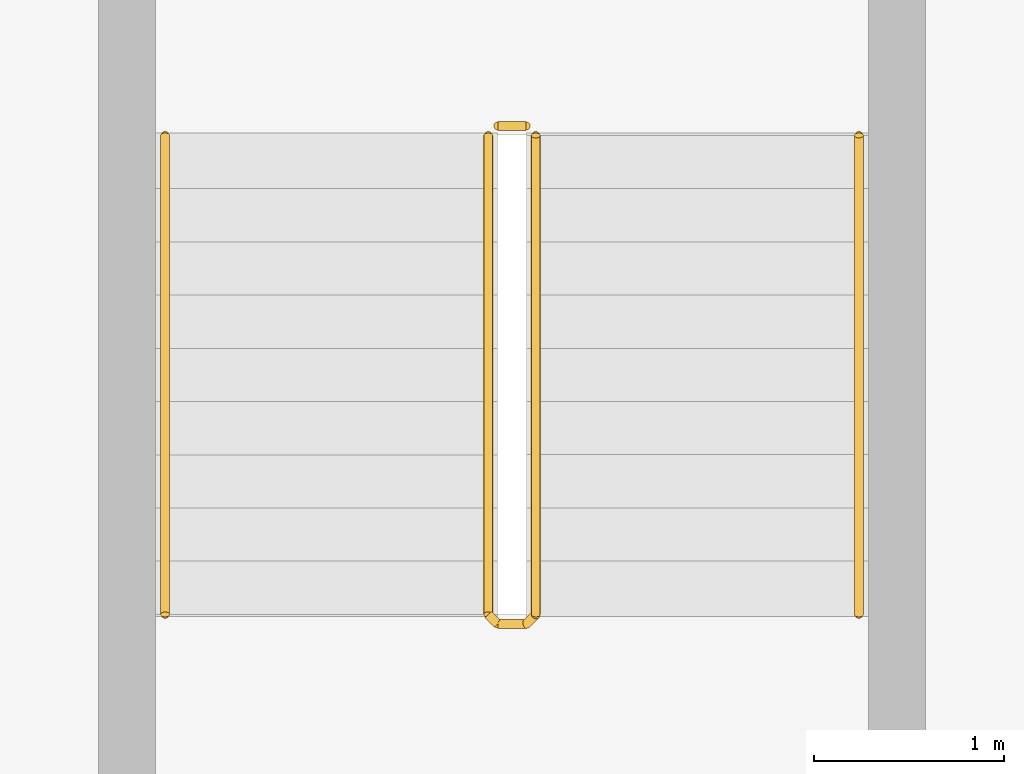
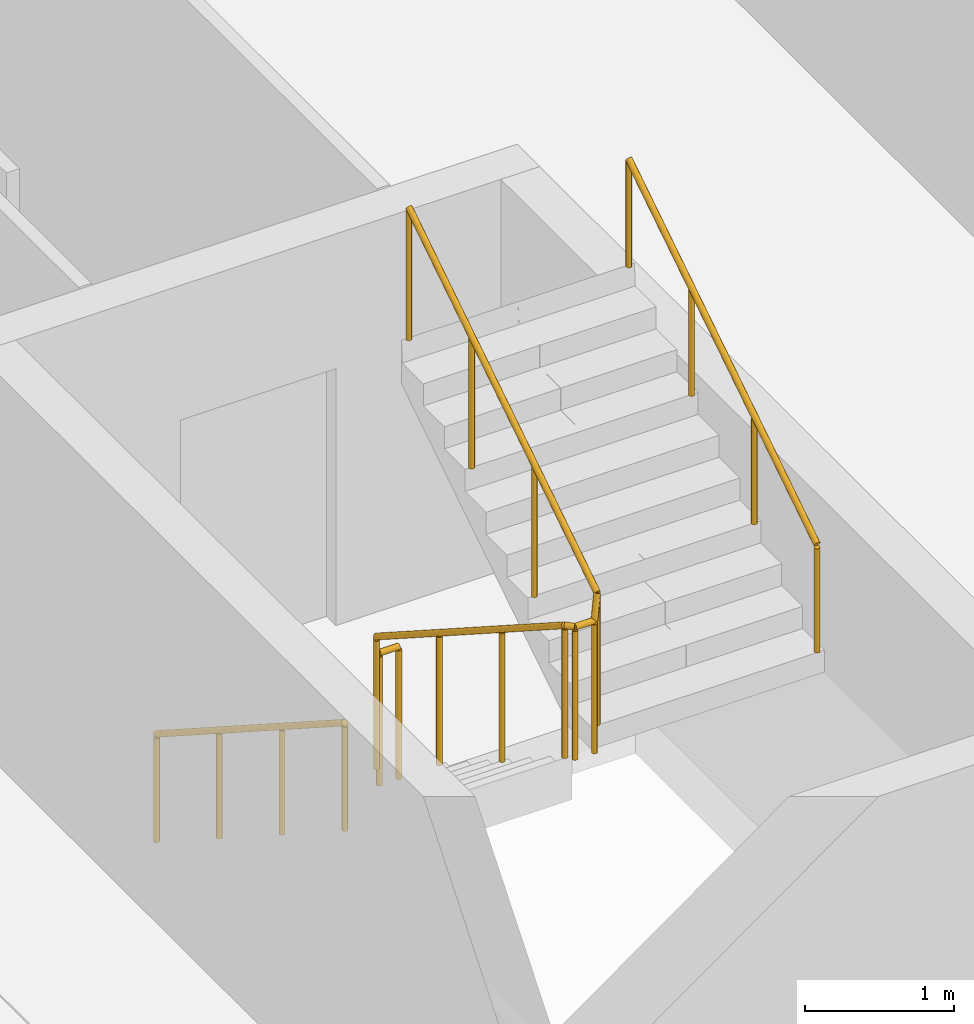
# One storey, part 23 of 25: 4 railings.
"""IFC4 building model written with IfcOpenShell, lengths in metres."""

from ifc_helpers import new_model, si_unit, direction, frame, origin, origin_2d, place, context, subcontext, project, spatial, circle, extrude, material, type_object, element, save


model = new_model("IFC4")

# Units and contexts
model_context = context("Model", 3, precision=1e-05, world=origin(), true_north=direction((0.0, 1.0)))
body_context = subcontext(model_context, "Body", "Model", "MODEL_VIEW")
ifc_project = project(units=[si_unit("LENGTHUNIT", "METRE"), si_unit("AREAUNIT", "SQUARE_METRE"), si_unit("VOLUMEUNIT", "CUBIC_METRE"), si_unit("PLANEANGLEUNIT", "RADIAN"), si_unit("MASSUNIT", "GRAM", prefix="KILO")], contexts=[model_context])

# Site, building, storey
site_placement = place(None, origin())
site = spatial("IfcSite", under=ifc_project, at=site_placement, CompositionType="ELEMENT")
building_placement = place(site_placement, origin())
building = spatial("IfcBuilding", under=site, at=building_placement, Name="Wharfspan Tower", CompositionType="ELEMENT")
storey_placement = place(building_placement, frame((0.0, 0.0, 63.100098)))
storey = spatial("IfcBuildingStorey", under=building, at=storey_placement, Name="L12", CompositionType="ELEMENT", Elevation=63.100098)

# Railings
ifc_material = material(Name="Steel S355J2", Category="steel")
railing_type_1 = type_object("IfcRailingType", Name="Stair guard 1100", PredefinedType="GUARDRAIL", material=ifc_material)
railing_1_placement = place(storey_placement, frame((39.258301, 3.760498, 0.179932)))
element("IfcRailing", 1, at=railing_1_placement, inside=storey, type_object=railing_type_1, Name="L12 ST4 stair guard 1", PredefinedType="GUARDRAIL", context=body_context, shape_type="SweptSolid", body=[
    extrude(circle(Radius=0.023926, at=origin_2d()), frame((0.0, 0.0, 1.076172), z_axis=(0.0, -0.841176, 0.540762), x_axis=(1.0, 0.0, 0.0)), (0.0, 0.0, 1.0), 2.995605),
    extrude(circle(Radius=0.023926, at=origin_2d()), frame((0.0, -2.519775, 2.695801), z_axis=(0.707107, -0.707107, 0.0), x_axis=(0.707107, 0.707107, 0.0)), (0.0, 0.0, 1.0), 0.070801),
    extrude(circle(Radius=0.023926, at=origin_2d()), frame((0.050049, -2.569824, 2.695801), z_axis=(1.0, 0.0, 0.0), x_axis=(0.0, 1.0, 0.0)), (0.0, 0.0, 1.0), 0.149902),
    extrude(circle(Radius=0.023926, at=origin_2d()), frame((0.199951, -2.569824, 2.695801), z_axis=(0.258544, 0.258544, 0.930758), x_axis=(-0.707107, 0.707107, 0.0)), (0.0, 0.0, 1.0), 0.193604),
    extrude(circle(Radius=0.023926, at=origin_2d()), frame((0.25, -2.519775, 2.875977), z_axis=(0.0, 0.841176, 0.540762), x_axis=(-1.0, 0.0, 0.0)), (0.0, 0.0, 1.0), 2.995605),
    extrude(circle(Radius=0.020996, at=origin_2d()), origin(), (0.0, 0.0, 1.0), 1.052002),
    extrude(circle(Radius=0.020996, at=origin_2d()), frame((0.0, -0.839844, 0.540039)), (0.0, 0.0, 1.0), 1.052002),
    extrude(circle(Radius=0.020996, at=origin_2d()), frame((0.0, -1.679932, 1.079834)), (0.0, 0.0, 1.0), 1.052002),
    extrude(circle(Radius=0.020996, at=origin_2d()), frame((0.0, -2.519775, 1.619873)), (0.0, 0.0, 1.0), 1.052002),
    extrude(circle(Radius=0.020996, at=origin_2d()), frame((0.050049, -2.569824, 1.619873)), (0.0, 0.0, 1.0), 1.052002),
    extrude(circle(Radius=0.020996, at=origin_2d()), frame((0.199951, -2.569824, 1.619873)), (0.0, 0.0, 1.0), 1.052002),
    extrude(circle(Radius=0.020996, at=origin_2d()), frame((0.25, -2.519775, 1.800049)), (0.0, 0.0, 1.0), 1.052002),
    extrude(circle(Radius=0.020996, at=origin_2d()), frame((0.25, -1.679932, 2.340088)), (0.0, 0.0, 1.0), 1.052002),
    extrude(circle(Radius=0.020996, at=origin_2d()), frame((0.25, -0.839844, 2.879883)), (0.0, 0.0, 1.0), 1.052002),
    extrude(circle(Radius=0.020996, at=origin_2d()), frame((0.25, 0.0, 3.419922)), (0.0, 0.0, 1.0), 1.052002),
])
railing_2_placement = place(storey_placement, frame((39.30835, 3.810547, 0.0)))
element("IfcRailing", 2, at=railing_2_placement, inside=storey, type_object=railing_type_1, Name="L12 ST4 stair guard 2", PredefinedType="GUARDRAIL", context=body_context, shape_type="SweptSolid", body=[
    extrude(circle(Radius=0.023926, at=origin_2d()), frame((0.0, 0.0, 1.076172), z_axis=(1.0, 0.0, 0.0), x_axis=(0.0, 1.0, 0.0)), (0.0, 0.0, 1.0), 0.149902),
    extrude(circle(Radius=0.020996, at=origin_2d()), origin(), (0.0, 0.0, 1.0), 1.052002),
    extrude(circle(Radius=0.020996, at=origin_2d()), frame((0.149902, 0.0, 0.0)), (0.0, 0.0, 1.0), 1.052002),
])
railing_type_2 = type_object("IfcRailingType", Name="Stair handrail 900", PredefinedType="HANDRAIL", material=ifc_material)
railing_3_placement = place(storey_placement, frame((37.55835, 3.760498, 0.179932)))
element("IfcRailing", 3, at=railing_3_placement, inside=storey, type_object=railing_type_2, Name="L12 ST4 stair handrail 1", PredefinedType="HANDRAIL", context=body_context, shape_type="SweptSolid", body=[
    extrude(circle(Radius=0.023926, at=origin_2d()), frame((0.0, 0.0, 0.875977), z_axis=(0.0, -0.841176, 0.540762), x_axis=(1.0, 0.0, 0.0)), (0.0, 0.0, 1.0), 2.995605),
    extrude(circle(Radius=0.020996, at=origin_2d()), origin(), (0.0, 0.0, 1.0), 0.851807),
    extrude(circle(Radius=0.020996, at=origin_2d()), frame((0.0, -0.839844, 0.540039)), (0.0, 0.0, 1.0), 0.851807),
    extrude(circle(Radius=0.020996, at=origin_2d()), frame((0.0, -1.679932, 1.079834)), (0.0, 0.0, 1.0), 0.851807),
    extrude(circle(Radius=0.020996, at=origin_2d()), frame((0.0, -2.519775, 1.619873)), (0.0, 0.0, 1.0), 0.851807),
])
railing_4_placement = place(storey_placement, frame((41.208252, 1.240723, 1.97998)))
element("IfcRailing", 4, at=railing_4_placement, inside=storey, type_object=railing_type_2, Name="L12 ST4 stair handrail 2", PredefinedType="HANDRAIL", context=body_context, shape_type="SweptSolid", body=[
    extrude(circle(Radius=0.023926, at=origin_2d()), frame((0.0, 0.0, 0.875977), z_axis=(0.0, 0.841176, 0.540762), x_axis=(-1.0, 0.0, 0.0)), (0.0, 0.0, 1.0), 2.995605),
    extrude(circle(Radius=0.020996, at=origin_2d()), origin(), (0.0, 0.0, 1.0), 0.851807),
    extrude(circle(Radius=0.020996, at=origin_2d()), frame((0.0, 0.839844, 0.540039)), (0.0, 0.0, 1.0), 0.851807),
    extrude(circle(Radius=0.020996, at=origin_2d()), frame((0.0, 1.679932, 1.079834)), (0.0, 0.0, 1.0), 0.851807),
    extrude(circle(Radius=0.020996, at=origin_2d()), frame((0.0, 2.519775, 1.619873)), (0.0, 0.0, 1.0), 0.851807),
])

save(model, "model.ifc")
